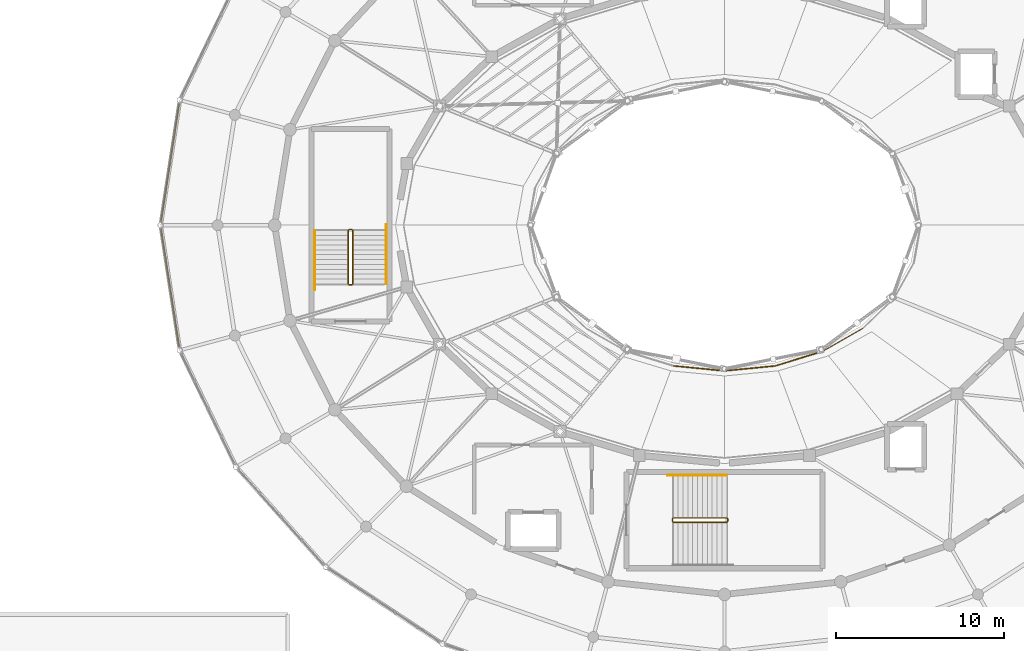
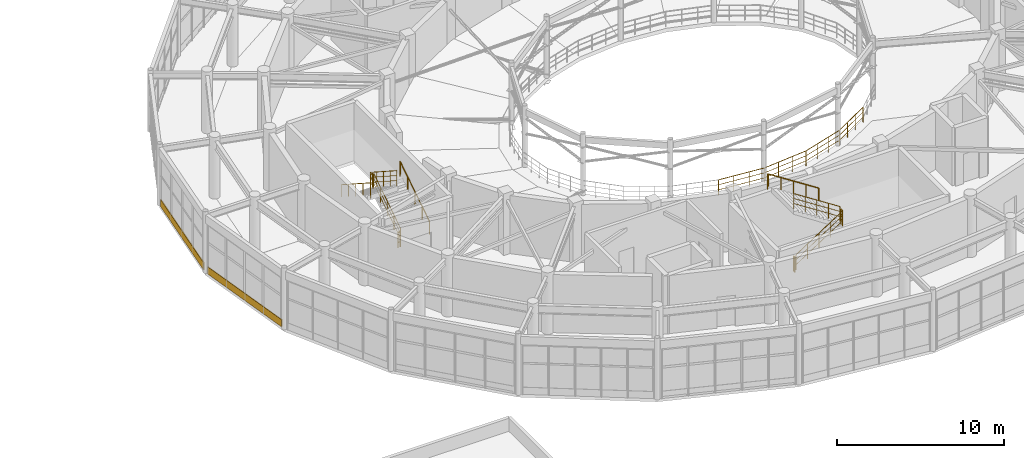
# One storey, part 104 of 112: 15 railings, 2 coverings.
"""IFC4 building model written with IfcOpenShell, lengths in metres."""

from ifc_helpers import new_model, si_unit, direction, frame, origin, origin_2d, place, context, subcontext, project, spatial, rectangle, circle, extrude, material, layer, layer_set, type_object, element, save


model = new_model("IFC4")

# Units and contexts
model_context = context("Model", 3, precision=1e-05, world=origin(), true_north=direction((0.0, 1.0)))
body_context = subcontext(model_context, "Body", "Model", "MODEL_VIEW")
ifc_project = project(units=[si_unit("LENGTHUNIT", "METRE"), si_unit("AREAUNIT", "SQUARE_METRE"), si_unit("VOLUMEUNIT", "CUBIC_METRE"), si_unit("PLANEANGLEUNIT", "RADIAN"), si_unit("MASSUNIT", "GRAM", prefix="KILO")], contexts=[model_context])

# Site, building, storey
site_placement = place(None, origin())
site = spatial("IfcSite", under=ifc_project, at=site_placement, CompositionType="ELEMENT")
building_placement = place(site_placement, origin())
building = spatial("IfcBuilding", under=site, at=building_placement, Name="Cinderbank Siding Concert Hall", CompositionType="ELEMENT")
storey_placement = place(building_placement, frame((0.0, 0.0, 10.199951171875)))
storey = spatial("IfcBuildingStorey", under=building, at=storey_placement, Name="L03", CompositionType="ELEMENT", Elevation=10.199951171875)

# Railings
ifc_material_1 = material(Name="Spotted gum glulam timber GL18 (42 MPa)", Category="wood")
railing_type_1 = type_object("IfcRailingType", Name="BAL-01 Auditorium Tier Balustrade 1120mm", PredefinedType="BALUSTRADE", material=ifc_material_1)
railing_1_placement = place(storey_placement, frame((118.97705078125, 35.61572265625, 0.0)))
element("IfcRailing", 1, at=railing_1_placement, inside=storey, type_object=railing_type_1, Name="L03 Auditorium Circle Balustrade 18", PredefinedType="BALUSTRADE", context=body_context, shape_type="SweptSolid", body=[
    extrude(circle(Radius=0.02392578125, at=origin_2d()), frame((0.0, 0.0, 1.09619140625), z_axis=(0.995251301544, -0.097338824598, 0.0), x_axis=(0.097338824598, 0.995251301544, 0.0)), (0.0, 0.0, 1.0), 3.037353515625),
    extrude(circle(Radius=0.01611328125, at=origin_2d()), frame((0.0, 0.0, 0.36962890625), z_axis=(0.995251301544, -0.097338824598, 0.0), x_axis=(0.097338824598, 0.995251301544, 0.0)), (0.0, 0.0, 1.0), 3.037353515625),
    extrude(circle(Radius=0.01611328125, at=origin_2d()), frame((0.0, 0.0, 0.7392578125), z_axis=(0.995251301544, -0.097338824598, 0.0), x_axis=(0.097338824598, 0.995251301544, 0.0)), (0.0, 0.0, 1.0), 3.037353515625),
    extrude(circle(Radius=0.02099609375, at=origin_2d()), origin(), (0.0, 0.0, 1.0), 1.072021484375),
    extrude(circle(Radius=0.02099609375, at=origin_2d()), frame((1.007568359375, -0.0986328125, 0.0)), (0.0, 0.0, 1.0), 1.072021484375),
    extrude(circle(Radius=0.02099609375, at=origin_2d()), frame((2.015380859375, -0.197021484375, 0.0)), (0.0, 0.0, 1.0), 1.072021484375),
    extrude(circle(Radius=0.02099609375, at=origin_2d()), frame((3.02294921875, -0.295654296875, 0.0)), (0.0, 0.0, 1.0), 1.072021484375),
])
railing_2_placement = place(storey_placement, frame((122.0, 35.320068359375, 0.0)))
element("IfcRailing", 2, at=railing_2_placement, inside=storey, type_object=railing_type_1, Name="L03 Auditorium Circle Balustrade 19", PredefinedType="BALUSTRADE", context=body_context, shape_type="SweptSolid", body=[
    extrude(circle(Radius=0.02392578125, at=origin_2d()), frame((0.0, 0.0, 1.09619140625), z_axis=(0.995251301544, 0.097338824598, 0.0), x_axis=(-0.097338824598, 0.995251301544, 0.0)), (0.0, 0.0, 1.0), 3.037353515625),
    extrude(circle(Radius=0.01611328125, at=origin_2d()), frame((0.0, 0.0, 0.36962890625), z_axis=(0.995251301544, 0.097338824598, 0.0), x_axis=(-0.097338824598, 0.995251301544, 0.0)), (0.0, 0.0, 1.0), 3.037353515625),
    extrude(circle(Radius=0.01611328125, at=origin_2d()), frame((0.0, 0.0, 0.7392578125), z_axis=(0.995251301544, 0.097338824598, 0.0), x_axis=(-0.097338824598, 0.995251301544, 0.0)), (0.0, 0.0, 1.0), 3.037353515625),
    extrude(circle(Radius=0.02099609375, at=origin_2d()), origin(), (0.0, 0.0, 1.0), 1.072021484375),
    extrude(circle(Radius=0.02099609375, at=origin_2d()), frame((1.007568359375, 0.0986328125, 0.0)), (0.0, 0.0, 1.0), 1.072021484375),
    extrude(circle(Radius=0.02099609375, at=origin_2d()), frame((2.015380859375, 0.197021484375, 0.0)), (0.0, 0.0, 1.0), 1.072021484375),
    extrude(circle(Radius=0.02099609375, at=origin_2d()), frame((3.02294921875, 0.295654296875, 0.0)), (0.0, 0.0, 1.0), 1.072021484375),
])
railing_3_placement = place(storey_placement, frame((125.02294921875, 35.61572265625, 0.0)))
element("IfcRailing", 3, at=railing_3_placement, inside=storey, type_object=railing_type_1, Name="L03 Auditorium Circle Balustrade 20", PredefinedType="BALUSTRADE", context=body_context, shape_type="SweptSolid", body=[
    extrude(circle(Radius=0.02392578125, at=origin_2d()), frame((0.0, 0.0, 1.09619140625), z_axis=(0.955743184461, 0.294202252466, 0.0), x_axis=(-0.294202252466, 0.955743184461, 0.0)), (0.0, 0.0, 1.0), 2.947509765625),
    extrude(circle(Radius=0.01611328125, at=origin_2d()), frame((0.0, 0.0, 0.36962890625), z_axis=(0.955743184461, 0.294202252466, 0.0), x_axis=(-0.294202252466, 0.955743184461, 0.0)), (0.0, 0.0, 1.0), 2.947509765625),
    extrude(circle(Radius=0.01611328125, at=origin_2d()), frame((0.0, 0.0, 0.7392578125), z_axis=(0.955743184461, 0.294202252466, 0.0), x_axis=(-0.294202252466, 0.955743184461, 0.0)), (0.0, 0.0, 1.0), 2.947509765625),
    extrude(circle(Radius=0.02099609375, at=origin_2d()), origin(), (0.0, 0.0, 1.0), 1.072021484375),
    extrude(circle(Radius=0.02099609375, at=origin_2d()), frame((0.93896484375, 0.2890625, 0.0)), (0.0, 0.0, 1.0), 1.072021484375),
    extrude(circle(Radius=0.02099609375, at=origin_2d()), frame((1.878173828125, 0.578125, 0.0)), (0.0, 0.0, 1.0), 1.072021484375),
    extrude(circle(Radius=0.02099609375, at=origin_2d()), frame((2.817138671875, 0.8671875, 0.0)), (0.0, 0.0, 1.0), 1.072021484375),
])
railing_4_placement = place(storey_placement, frame((127.840087890625, 36.48291015625, 0.0)))
element("IfcRailing", 4, at=railing_4_placement, inside=storey, type_object=railing_type_1, Name="L03 Auditorium Circle Balustrade 21", PredefinedType="BALUSTRADE", context=body_context, shape_type="SweptSolid", body=[
    extrude(circle(Radius=0.02392578125, at=origin_2d()), frame((0.0, 0.0, 1.09619140625), z_axis=(0.868685219128, 0.495364502228, 0.0), x_axis=(-0.495364502228, 0.868685219128, 0.0)), (0.0, 0.0, 1.0), 2.78466796875),
    extrude(circle(Radius=0.01611328125, at=origin_2d()), frame((0.0, 0.0, 0.36962890625), z_axis=(0.868685219128, 0.495364502228, 0.0), x_axis=(-0.495364502228, 0.868685219128, 0.0)), (0.0, 0.0, 1.0), 2.78466796875),
    extrude(circle(Radius=0.01611328125, at=origin_2d()), frame((0.0, 0.0, 0.7392578125), z_axis=(0.868685219128, 0.495364502228, 0.0), x_axis=(-0.495364502228, 0.868685219128, 0.0)), (0.0, 0.0, 1.0), 2.78466796875),
    extrude(circle(Radius=0.02099609375, at=origin_2d()), origin(), (0.0, 0.0, 1.0), 1.072021484375),
    extrude(circle(Radius=0.02099609375, at=origin_2d()), frame((0.806396484375, 0.459716796875, 0.0)), (0.0, 0.0, 1.0), 1.072021484375),
    extrude(circle(Radius=0.02099609375, at=origin_2d()), frame((1.612548828125, 0.919677734375, 0.0)), (0.0, 0.0, 1.0), 1.072021484375),
    extrude(circle(Radius=0.02099609375, at=origin_2d()), frame((2.4189453125, 1.37939453125, 0.0)), (0.0, 0.0, 1.0), 1.072021484375),
])

# Coverings
ifc_layer = layer(ifc_material_1, 0.06494140625)
ifc_layer_set = layer_set([ifc_layer], Name="Spotted gum glulam timber GL18 (42 MPa)")
covering_type = type_object("IfcCoveringType", Name="CL-01 Spotted Gum Spandrel Band 520mm", PredefinedType="CLADDING", material=ifc_layer_set)
for number, where, z_axis, x_axis, name in (
    (5, (88.972412109375, 47.72705078125, 0.0), (0.0, 0.0, 1.0), (-0.151815048473, -0.988408918949, 0.0), "CW-L03-036 Spotted Gum Spandrel Band"),
    (6, (88.972412109375, 40.27294921875, 0.0), (0.0, 0.0, 1.0), (0.151815048473, -0.988408918949, 0.0), "CW-L03-037 Spotted Gum Spandrel Band"),
):
    element("IfcCovering", number, at=place(storey_placement, frame(where, z_axis=z_axis, x_axis=x_axis)), inside=storey, type_object=covering_type, Name=name, PredefinedType="CLADDING", context=body_context, shape_type="SweptSolid", body=[
        extrude(rectangle(XDim=7.08740234375, YDim=0.06494140625, at=origin_2d()), origin(), (0.0, 0.0, 1.0), 0.52001953125),
    ])

# Railings
ifc_material_2 = material(Name="Structural steel AS/NZS 3679.1 Grade 350 (340 MPa)", Category="steel")
railing_type_2 = type_object("IfcRailingType", Name="STG-01 Stair Well Guardrail 1120mm", PredefinedType="GUARDRAIL", material=ifc_material_2)
railing_5_placement = place(storey_placement, frame((118.949951171875, 26.300048828125, 0.1875)))
element("IfcRailing", 7, at=railing_5_placement, inside=storey, type_object=railing_type_2, Name="L03 ST-02 stair guard 1", PredefinedType="GUARDRAIL", context=body_context, shape_type="SweptSolid", body=[
    extrude(circle(Radius=0.02392578125, at=origin_2d()), frame((0.0, 0.0, 1.09619140625), z_axis=(0.839759782654, 0.0, 0.542958108362), x_axis=(0.0, 1.0, 0.0)), (0.0, 0.0, 1.0), 3.798583984375),
    extrude(circle(Radius=0.01611328125, at=origin_2d()), frame((0.0, 0.0, 0.36962890625), z_axis=(0.839759782654, 0.0, 0.542958108362), x_axis=(0.0, 1.0, 0.0)), (0.0, 0.0, 1.0), 3.798583984375),
    extrude(circle(Radius=0.01611328125, at=origin_2d()), frame((0.0, 0.0, 0.7392578125), z_axis=(0.839759782654, 0.0, 0.542958108362), x_axis=(0.0, 1.0, 0.0)), (0.0, 0.0, 1.0), 3.798583984375),
    extrude(circle(Radius=0.02099609375, at=origin_2d()), origin(), (0.0, 0.0, 1.0), 1.072021484375),
    extrude(circle(Radius=0.02099609375, at=origin_2d()), frame((0.79736328125, 0.0, 0.515625)), (0.0, 0.0, 1.0), 1.072021484375),
    extrude(circle(Radius=0.02099609375, at=origin_2d()), frame((1.594970703125, 0.0, 1.03125)), (0.0, 0.0, 1.0), 1.072021484375),
    extrude(circle(Radius=0.02099609375, at=origin_2d()), frame((2.392578125, 0.0, 1.546875)), (0.0, 0.0, 1.0), 1.072021484375),
    extrude(circle(Radius=0.02099609375, at=origin_2d()), frame((3.18994140625, 0.0, 2.0625)), (0.0, 0.0, 1.0), 1.072021484375),
])
railing_6_placement = place(storey_placement, frame((122.18994140625, 26.35009765625, 2.25)))
element("IfcRailing", 8, at=railing_6_placement, inside=storey, type_object=railing_type_2, Name="L03 ST-02 stair guard 2", PredefinedType="GUARDRAIL", context=body_context, shape_type="SweptSolid", body=[
    extrude(circle(Radius=0.02392578125, at=origin_2d()), frame((0.0, 0.0, 1.09619140625), z_axis=(0.0, 1.0, 0.0), x_axis=(-1.0, 0.0, 0.0)), (0.0, 0.0, 1.0), 0.159912109375),
    extrude(circle(Radius=0.01611328125, at=origin_2d()), frame((0.0, 0.0, 0.36962890625), z_axis=(0.0, 1.0, 0.0), x_axis=(-1.0, 0.0, 0.0)), (0.0, 0.0, 1.0), 0.159912109375),
    extrude(circle(Radius=0.01611328125, at=origin_2d()), frame((0.0, 0.0, 0.7392578125), z_axis=(0.0, 1.0, 0.0), x_axis=(-1.0, 0.0, 0.0)), (0.0, 0.0, 1.0), 0.159912109375),
    extrude(circle(Radius=0.02099609375, at=origin_2d()), origin(), (0.0, 0.0, 1.0), 1.072021484375),
    extrude(circle(Radius=0.02099609375, at=origin_2d()), frame((0.0, 0.159912109375, 0.0)), (0.0, 0.0, 1.0), 1.072021484375),
])
railing_7_placement = place(storey_placement, frame((122.139892578125, 26.56005859375, 2.4375)))
element("IfcRailing", 9, at=railing_7_placement, inside=storey, type_object=railing_type_2, Name="L03 ST-02 stair guard 3", PredefinedType="GUARDRAIL", context=body_context, shape_type="SweptSolid", body=[
    extrude(circle(Radius=0.02392578125, at=origin_2d()), frame((0.0, 0.0, 1.09619140625), z_axis=(-0.839759782654, 0.0, 0.542958108362), x_axis=(0.0, -1.0, 0.0)), (0.0, 0.0, 1.0), 3.798583984375),
    extrude(circle(Radius=0.01611328125, at=origin_2d()), frame((0.0, 0.0, 0.36962890625), z_axis=(-0.839759782654, 0.0, 0.542958108362), x_axis=(0.0, -1.0, 0.0)), (0.0, 0.0, 1.0), 3.798583984375),
    extrude(circle(Radius=0.01611328125, at=origin_2d()), frame((0.0, 0.0, 0.7392578125), z_axis=(-0.839759782654, 0.0, 0.542958108362), x_axis=(0.0, -1.0, 0.0)), (0.0, 0.0, 1.0), 3.798583984375),
    extrude(circle(Radius=0.02099609375, at=origin_2d()), origin(), (0.0, 0.0, 1.0), 1.072021484375),
    extrude(circle(Radius=0.02099609375, at=origin_2d()), frame((-0.79736328125, 0.0, 0.515625)), (0.0, 0.0, 1.0), 1.072021484375),
    extrude(circle(Radius=0.02099609375, at=origin_2d()), frame((-1.594970703125, 0.0, 1.03125)), (0.0, 0.0, 1.0), 1.072021484375),
    extrude(circle(Radius=0.02099609375, at=origin_2d()), frame((-2.392578125, 0.0, 1.546875)), (0.0, 0.0, 1.0), 1.072021484375),
    extrude(circle(Radius=0.02099609375, at=origin_2d()), frame((-3.18994140625, 0.0, 2.0625)), (0.0, 0.0, 1.0), 1.072021484375),
])
railing_8_placement = place(storey_placement, frame((118.89990234375, 26.35009765625, 0.0)))
element("IfcRailing", 10, at=railing_8_placement, inside=storey, type_object=railing_type_2, Name="L03 ST-02 stair guard 4", PredefinedType="GUARDRAIL", context=body_context, shape_type="SweptSolid", body=[
    extrude(circle(Radius=0.02392578125, at=origin_2d()), frame((0.0, 0.0, 1.09619140625), z_axis=(0.0, 1.0, 0.0), x_axis=(-1.0, 0.0, 0.0)), (0.0, 0.0, 1.0), 0.159912109375),
    extrude(circle(Radius=0.01611328125, at=origin_2d()), frame((0.0, 0.0, 0.36962890625), z_axis=(0.0, 1.0, 0.0), x_axis=(-1.0, 0.0, 0.0)), (0.0, 0.0, 1.0), 0.159912109375),
    extrude(circle(Radius=0.01611328125, at=origin_2d()), frame((0.0, 0.0, 0.7392578125), z_axis=(0.0, 1.0, 0.0), x_axis=(-1.0, 0.0, 0.0)), (0.0, 0.0, 1.0), 0.159912109375),
    extrude(circle(Radius=0.02099609375, at=origin_2d()), origin(), (0.0, 0.0, 1.0), 1.072021484375),
    extrude(circle(Radius=0.02099609375, at=origin_2d()), frame((0.0, 0.159912109375, 0.0)), (0.0, 0.0, 1.0), 1.072021484375),
])
railing_9_placement = place(storey_placement, frame((99.85009765625, 40.5, 0.1875)))
element("IfcRailing", 11, at=railing_9_placement, inside=storey, type_object=railing_type_2, Name="L03 ST-04 stair guard 1", PredefinedType="GUARDRAIL", context=body_context, shape_type="SweptSolid", body=[
    extrude(circle(Radius=0.02392578125, at=origin_2d()), frame((0.0, 0.0, 1.09619140625), z_axis=(0.0, 0.839759782654, 0.542958108362), x_axis=(-1.0, 0.0, 0.0)), (0.0, 0.0, 1.0), 3.798583984375),
    extrude(circle(Radius=0.01611328125, at=origin_2d()), frame((0.0, 0.0, 0.36962890625), z_axis=(0.0, 0.839759782654, 0.542958108362), x_axis=(-1.0, 0.0, 0.0)), (0.0, 0.0, 1.0), 3.798583984375),
    extrude(circle(Radius=0.01611328125, at=origin_2d()), frame((0.0, 0.0, 0.7392578125), z_axis=(0.0, 0.839759782654, 0.542958108362), x_axis=(-1.0, 0.0, 0.0)), (0.0, 0.0, 1.0), 3.798583984375),
    extrude(circle(Radius=0.02099609375, at=origin_2d()), origin(), (0.0, 0.0, 1.0), 1.072021484375),
    extrude(circle(Radius=0.02099609375, at=origin_2d()), frame((0.0, 0.79736328125, 0.515625)), (0.0, 0.0, 1.0), 1.072021484375),
    extrude(circle(Radius=0.02099609375, at=origin_2d()), frame((0.0, 1.594970703125, 1.03125)), (0.0, 0.0, 1.0), 1.072021484375),
    extrude(circle(Radius=0.02099609375, at=origin_2d()), frame((0.0, 2.392578125, 1.546875)), (0.0, 0.0, 1.0), 1.072021484375),
    extrude(circle(Radius=0.02099609375, at=origin_2d()), frame((0.0, 3.18994140625, 2.0625)), (0.0, 0.0, 1.0), 1.072021484375),
])
railing_10_placement = place(storey_placement, frame((99.800048828125, 43.739990234375, 2.25)))
element("IfcRailing", 12, at=railing_10_placement, inside=storey, type_object=railing_type_2, Name="L03 ST-04 stair guard 2", PredefinedType="GUARDRAIL", context=body_context, shape_type="SweptSolid", body=[
    extrude(circle(Radius=0.02392578125, at=origin_2d()), frame((0.0, 0.0, 1.09619140625), z_axis=(-1.0, 0.0, 0.0), x_axis=(0.0, -1.0, 0.0)), (0.0, 0.0, 1.0), 0.16015625),
    extrude(circle(Radius=0.01611328125, at=origin_2d()), frame((0.0, 0.0, 0.36962890625), z_axis=(-1.0, 0.0, 0.0), x_axis=(0.0, -1.0, 0.0)), (0.0, 0.0, 1.0), 0.16015625),
    extrude(circle(Radius=0.01611328125, at=origin_2d()), frame((0.0, 0.0, 0.7392578125), z_axis=(-1.0, 0.0, 0.0), x_axis=(0.0, -1.0, 0.0)), (0.0, 0.0, 1.0), 0.16015625),
    extrude(circle(Radius=0.02099609375, at=origin_2d()), origin(), (0.0, 0.0, 1.0), 1.072021484375),
    extrude(circle(Radius=0.02099609375, at=origin_2d()), frame((-0.16015625, 0.0, 0.0)), (0.0, 0.0, 1.0), 1.072021484375),
])
railing_11_placement = place(storey_placement, frame((99.590087890625, 43.68994140625, 2.4375)))
element("IfcRailing", 13, at=railing_11_placement, inside=storey, type_object=railing_type_2, Name="L03 ST-04 stair guard 3", PredefinedType="GUARDRAIL", context=body_context, shape_type="SweptSolid", body=[
    extrude(circle(Radius=0.02392578125, at=origin_2d()), frame((0.0, 0.0, 1.09619140625), z_axis=(0.0, -0.839759782654, 0.542958108362), x_axis=(1.0, 0.0, 0.0)), (0.0, 0.0, 1.0), 3.798583984375),
    extrude(circle(Radius=0.01611328125, at=origin_2d()), frame((0.0, 0.0, 0.36962890625), z_axis=(0.0, -0.839759782654, 0.542958108362), x_axis=(1.0, 0.0, 0.0)), (0.0, 0.0, 1.0), 3.798583984375),
    extrude(circle(Radius=0.01611328125, at=origin_2d()), frame((0.0, 0.0, 0.7392578125), z_axis=(0.0, -0.839759782654, 0.542958108362), x_axis=(1.0, 0.0, 0.0)), (0.0, 0.0, 1.0), 3.798583984375),
    extrude(circle(Radius=0.02099609375, at=origin_2d()), origin(), (0.0, 0.0, 1.0), 1.072021484375),
    extrude(circle(Radius=0.02099609375, at=origin_2d()), frame((0.0, -0.79736328125, 0.515625)), (0.0, 0.0, 1.0), 1.072021484375),
    extrude(circle(Radius=0.02099609375, at=origin_2d()), frame((0.0, -1.594970703125, 1.03125)), (0.0, 0.0, 1.0), 1.072021484375),
    extrude(circle(Radius=0.02099609375, at=origin_2d()), frame((0.0, -2.392578125, 1.546875)), (0.0, 0.0, 1.0), 1.072021484375),
    extrude(circle(Radius=0.02099609375, at=origin_2d()), frame((0.0, -3.18994140625, 2.0625)), (0.0, 0.0, 1.0), 1.072021484375),
])
railing_12_placement = place(storey_placement, frame((99.800048828125, 40.449951171875, 0.0)))
element("IfcRailing", 14, at=railing_12_placement, inside=storey, type_object=railing_type_2, Name="L03 ST-04 stair guard 4", PredefinedType="GUARDRAIL", context=body_context, shape_type="SweptSolid", body=[
    extrude(circle(Radius=0.02392578125, at=origin_2d()), frame((0.0, 0.0, 1.09619140625), z_axis=(-1.0, 0.0, 0.0), x_axis=(0.0, -1.0, 0.0)), (0.0, 0.0, 1.0), 0.16015625),
    extrude(circle(Radius=0.01611328125, at=origin_2d()), frame((0.0, 0.0, 0.36962890625), z_axis=(-1.0, 0.0, 0.0), x_axis=(0.0, -1.0, 0.0)), (0.0, 0.0, 1.0), 0.16015625),
    extrude(circle(Radius=0.01611328125, at=origin_2d()), frame((0.0, 0.0, 0.7392578125), z_axis=(-1.0, 0.0, 0.0), x_axis=(0.0, -1.0, 0.0)), (0.0, 0.0, 1.0), 0.16015625),
    extrude(circle(Radius=0.02099609375, at=origin_2d()), origin(), (0.0, 0.0, 1.0), 1.072021484375),
    extrude(circle(Radius=0.02099609375, at=origin_2d()), frame((-0.16015625, 0.0, 0.0)), (0.0, 0.0, 1.0), 1.072021484375),
])
railing_type_3 = type_object("IfcRailingType", Name="STH-01 Stair Pitch Handrail 920mm", PredefinedType="HANDRAIL", material=ifc_material_2)
railing_13_placement = place(storey_placement, frame((122.139892578125, 29.110107421875, 2.4375)))
element("IfcRailing", 15, at=railing_13_placement, inside=storey, type_object=railing_type_3, Name="L03 ST-02 stair handrail 2", PredefinedType="HANDRAIL", context=body_context, shape_type="SweptSolid", body=[
    extrude(circle(Radius=0.02392578125, at=origin_2d()), frame((0.0, 0.0, 0.89599609375), z_axis=(-0.839762940478, 0.0, 0.542953224319), x_axis=(0.0, -1.0, 0.0)), (0.0, 0.0, 1.0), 4.14404296875),
    extrude(circle(Radius=0.02392578125, at=origin_2d()), frame((-3.47998046875, 0.0, 3.14599609375), z_axis=(-1.0, 0.0, 0.0), x_axis=(0.0, -1.0, 0.0)), (0.0, 0.0, 1.0), 0.059814453125),
    extrude(circle(Radius=0.02099609375, at=origin_2d()), origin(), (0.0, 0.0, 1.0), 0.871826171875),
    extrude(circle(Radius=0.02099609375, at=origin_2d()), frame((-0.8701171875, 0.0, 0.5625)), (0.0, 0.0, 1.0), 0.871826171875),
    extrude(circle(Radius=0.02099609375, at=origin_2d()), frame((-1.739990234375, 0.0, 1.125)), (0.0, 0.0, 1.0), 0.871826171875),
    extrude(circle(Radius=0.02099609375, at=origin_2d()), frame((-2.60986328125, 0.0, 1.6875)), (0.0, 0.0, 1.0), 0.871826171875),
    extrude(circle(Radius=0.02099609375, at=origin_2d()), frame((-3.47998046875, 0.0, 2.25)), (0.0, 0.0, 1.0), 0.871826171875),
    extrude(circle(Radius=0.02099609375, at=origin_2d()), frame((-3.539794921875, 0.0, 2.0625)), (0.0, 0.0, 1.0), 1.059326171875),
])
railing_14_placement = place(storey_placement, frame((101.85009765625, 40.5, 0.1875)))
element("IfcRailing", 16, at=railing_14_placement, inside=storey, type_object=railing_type_3, Name="L03 ST-04 stair handrail 1", PredefinedType="HANDRAIL", context=body_context, shape_type="SweptSolid", body=[
    extrude(circle(Radius=0.02392578125, at=origin_2d()), frame((0.0, 0.0, 0.89599609375), z_axis=(0.0, 0.839762940478, 0.542953224319), x_axis=(-1.0, 0.0, 0.0)), (0.0, 0.0, 1.0), 4.14404296875),
    extrude(circle(Radius=0.02392578125, at=origin_2d()), frame((0.0, 3.47998046875, 3.14599609375), z_axis=(0.0, 1.0, 0.0), x_axis=(-1.0, 0.0, 0.0)), (0.0, 0.0, 1.0), 0.06005859375),
    extrude(circle(Radius=0.02099609375, at=origin_2d()), origin(), (0.0, 0.0, 1.0), 0.871826171875),
    extrude(circle(Radius=0.02099609375, at=origin_2d()), frame((0.0, 0.8701171875, 0.5625)), (0.0, 0.0, 1.0), 0.871826171875),
    extrude(circle(Radius=0.02099609375, at=origin_2d()), frame((0.0, 1.739990234375, 1.125)), (0.0, 0.0, 1.0), 0.871826171875),
    extrude(circle(Radius=0.02099609375, at=origin_2d()), frame((0.0, 2.60986328125, 1.6875)), (0.0, 0.0, 1.0), 0.871826171875),
    extrude(circle(Radius=0.02099609375, at=origin_2d()), frame((0.0, 3.47998046875, 2.25)), (0.0, 0.0, 1.0), 0.871826171875),
    extrude(circle(Radius=0.02099609375, at=origin_2d()), frame((0.0, 3.5400390625, 2.0625)), (0.0, 0.0, 1.0), 1.059326171875),
])
railing_15_placement = place(storey_placement, frame((97.590087890625, 43.68994140625, 2.4375)))
element("IfcRailing", 17, at=railing_15_placement, inside=storey, type_object=railing_type_3, Name="L03 ST-04 stair handrail 2", PredefinedType="HANDRAIL", context=body_context, shape_type="SweptSolid", body=[
    extrude(circle(Radius=0.02392578125, at=origin_2d()), frame((0.0, 0.0, 0.89599609375), z_axis=(0.0, -0.839762940478, 0.542953224319), x_axis=(1.0, 0.0, 0.0)), (0.0, 0.0, 1.0), 4.14404296875),
    extrude(circle(Radius=0.02392578125, at=origin_2d()), frame((0.0, -3.47998046875, 3.14599609375), z_axis=(0.0, -1.0, 0.0), x_axis=(1.0, 0.0, 0.0)), (0.0, 0.0, 1.0), 0.06005859375),
    extrude(circle(Radius=0.02099609375, at=origin_2d()), origin(), (0.0, 0.0, 1.0), 0.871826171875),
    extrude(circle(Radius=0.02099609375, at=origin_2d()), frame((0.0, -0.8701171875, 0.5625)), (0.0, 0.0, 1.0), 0.871826171875),
    extrude(circle(Radius=0.02099609375, at=origin_2d()), frame((0.0, -1.739990234375, 1.125)), (0.0, 0.0, 1.0), 0.871826171875),
    extrude(circle(Radius=0.02099609375, at=origin_2d()), frame((0.0, -2.60986328125, 1.6875)), (0.0, 0.0, 1.0), 0.871826171875),
    extrude(circle(Radius=0.02099609375, at=origin_2d()), frame((0.0, -3.47998046875, 2.25)), (0.0, 0.0, 1.0), 0.871826171875),
    extrude(circle(Radius=0.02099609375, at=origin_2d()), frame((0.0, -3.5400390625, 2.0625)), (0.0, 0.0, 1.0), 1.059326171875),
])

save(model, "model.ifc")
